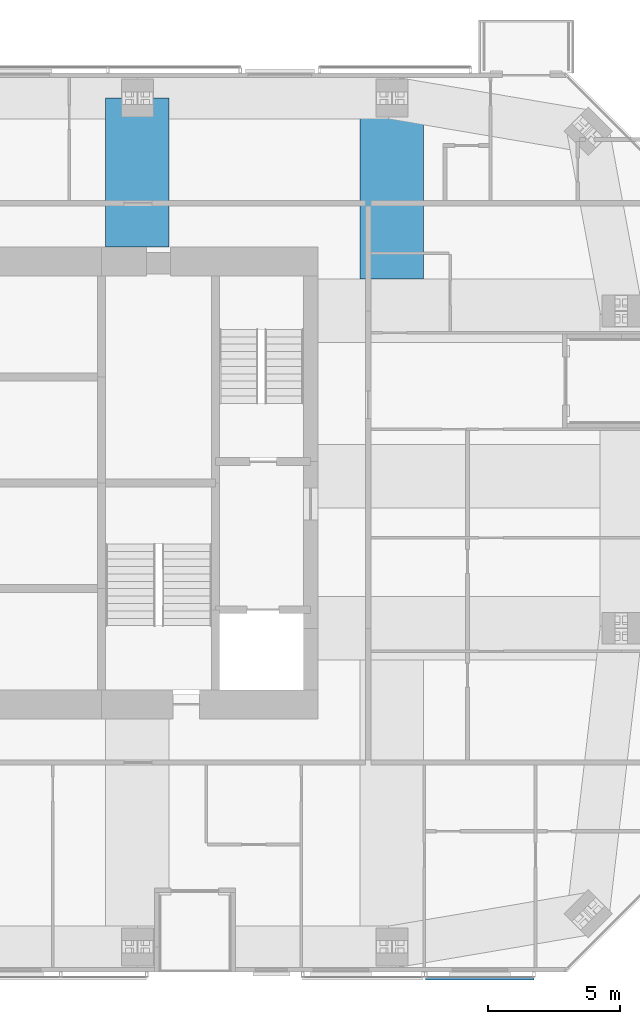
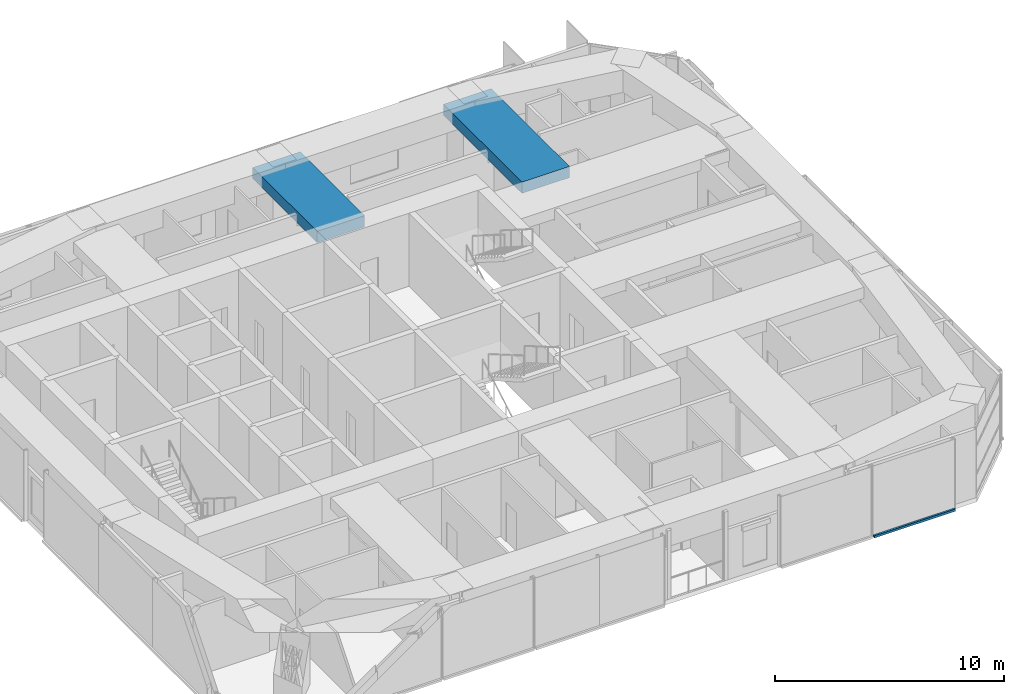
# One storey, part 7 of 20: 2 beams, 1 member, 1 element without a shape of its own.
"""IFC4 building model written with IfcOpenShell, lengths in metres."""

import ifcopenshell
import ifcopenshell.guid

model = None  # the IFC model being written
_history = None  # IfcOwnerHistory: only IFC2X3 demands one
_inside = {}  # id of a spatial element -> (the spatial element, [elements in it])
_under = {}  # id of a project, library or spatial element -> (it, [spatial elements below it])
_declared = {}  # id of a project -> (the project, [libraries it declares])
_typed = {}  # id of a type object -> (the type object, [elements of that type])
_made_of = {}  # id of a material, layer set ... -> (it, [elements and type objects made of it])


def new_model(schema):
    """Start an empty IFC model of exactly this schema.

    Asked for "IFC4X3", IfcOpenShell would pick the latest addendum, in which some entities
    have other attributes; the version numbers below select the first issue.
    IFC2X3 requires an IfcOwnerHistory on every rooted entity: one is made here for all.
    """
    global model, _history
    if schema == "IFC4X3":
        model = ifcopenshell.file(schema_version=(4, 3, 0, 0))
    else:
        model = ifcopenshell.file(schema=schema)
    _inside.clear()
    _under.clear()
    _declared.clear()
    _typed.clear()
    _made_of.clear()
    _history = None
    if model.schema == "IFC2X3":
        org = make("IfcOrganization", Name="unknown")
        user = make(
            "IfcPersonAndOrganization",
            ThePerson=make("IfcPerson", FamilyName="unknown"),
            TheOrganization=org,
        )
        app = make(
            "IfcApplication",
            ApplicationDeveloper=org,
            Version="unknown",
            ApplicationFullName="unknown",
            ApplicationIdentifier="unknown",
        )
        _history = make(
            "IfcOwnerHistory",
            OwningUser=user,
            OwningApplication=app,
            ChangeAction="ADDED",
            CreationDate=0,
        )
    return model


def make(cls, **values):
    """One entity of the class cls with the attributes given. An attribute that is None is left unset."""
    return model.create_entity(
        cls, **{name: value for name, value in values.items() if value is not None}
    )


def rooted(cls, **values):
    """An entity with a GlobalId (a new one), such as an element, a storey or a relation."""
    return make(cls, GlobalId=ifcopenshell.guid.new(), OwnerHistory=_history, **values)


def si_unit(unit_type, name, prefix=None):
    """IfcSIUnit, for example si_unit("LENGTHUNIT", "METRE", prefix="MILLI")."""
    return make("IfcSIUnit", UnitType=unit_type, Prefix=prefix, Name=name)


def assignment(units):
    """IfcUnitAssignment: the units of a project."""
    return None if units is None else make("IfcUnitAssignment", Units=units)


def point(xyz):
    """IfcCartesianPoint."""
    return None if xyz is None else make("IfcCartesianPoint", Coordinates=xyz)


def direction(xyz):
    """IfcDirection."""
    return None if xyz is None else make("IfcDirection", DirectionRatios=xyz)


def frame(location, z_axis=None, x_axis=None):
    """IfcAxis2Placement3D, a coordinate frame: its origin and axes. An axis left out is left unset."""
    return make(
        "IfcAxis2Placement3D",
        Location=point(location),
        Axis=direction(z_axis),
        RefDirection=direction(x_axis),
    )


def frame_2d(location, x_axis=None):
    """IfcAxis2Placement2D, a coordinate frame in the plane: its origin and x axis."""
    return make(
        "IfcAxis2Placement2D", Location=point(location), RefDirection=direction(x_axis)
    )


def origin():
    """The frame at (0, 0, 0) with its axes left unset."""
    return frame((0.0, 0.0, 0.0))


def origin_2d():
    """The frame at (0, 0) in the plane with its x axis left unset."""
    return frame_2d((0.0, 0.0))


def place(relative_to, where):
    """IfcLocalPlacement: puts the frame where relative to a parent placement (None: the world)."""
    return make(
        "IfcLocalPlacement", PlacementRelTo=relative_to, RelativePlacement=where
    )


def context(
    kind, dimensions, precision=None, world=None, true_north=None, identifier=None
):
    """IfcGeometricRepresentationContext, for example the 3D "Model" context."""
    return make(
        "IfcGeometricRepresentationContext",
        ContextIdentifier=identifier,
        ContextType=kind,
        CoordinateSpaceDimension=dimensions,
        Precision=precision,
        WorldCoordinateSystem=world,
        TrueNorth=true_north,
    )


def subcontext(parent, identifier, kind, view, scale=None):
    """IfcGeometricRepresentationSubContext, for example "Body" below "Model"."""
    return make(
        "IfcGeometricRepresentationSubContext",
        ContextIdentifier=identifier,
        ContextType=kind,
        ParentContext=parent,
        TargetScale=scale,
        TargetView=view,
    )


def project(units=None, contexts=None):
    """IfcProject with its units and contexts."""
    return rooted(
        "IfcProject",
        Name="project",
        RepresentationContexts=contexts,
        UnitsInContext=assignment(units),
    )


def spatial(cls, under=None, at=None, **own):
    """A site, building, storey or space (cls), placed at a placement, below another one or the project."""
    s = rooted(cls, ObjectPlacement=at, **own)
    if under is not None:
        _under.setdefault(under.id(), (under, []))[1].append(s)
    return s


def profile(cls, at=None, kind="AREA", **sizes):
    """A parametric profile (cls). Its sizes go by their IFC names, for example OverallWidth=200.0."""
    return make(cls, ProfileType=kind, Position=at, **sizes)


def rectangle(**sizes):
    """IfcRectangleProfileDef."""
    return profile("IfcRectangleProfileDef", **sizes)


def extrude(swept, where, along, depth):
    """IfcExtrudedAreaSolid: the profile swept, set in the frame where, extruded along a direction by depth."""
    return make(
        "IfcExtrudedAreaSolid",
        SweptArea=swept,
        Position=where,
        ExtrudedDirection=direction(along),
        Depth=depth,
    )


def shape(context_of_items, identifier, shape_type, items):
    """IfcShapeRepresentation: the items that make up one representation, for example the "Body"."""
    return make(
        "IfcShapeRepresentation",
        ContextOfItems=context_of_items,
        RepresentationIdentifier=identifier,
        RepresentationType=shape_type,
        Items=items,
    )


def material(Name=None, Category=None):
    """IfcMaterial."""
    return make("IfcMaterial", Name=Name, Category=Category)


def material_profile(
    of_material, cross_section, Name=None, Category=None, Priority=None
):
    """IfcMaterialProfile: a cross section and its material."""
    return make(
        "IfcMaterialProfile",
        Name=Name,
        Material=of_material,
        Profile=cross_section,
        Priority=Priority,
        Category=Category,
    )


def profile_set(profiles, Name=None, composite=None):
    """IfcMaterialProfileSet."""
    return make(
        "IfcMaterialProfileSet",
        Name=Name,
        MaterialProfiles=profiles,
        CompositeProfile=composite,
    )


def made_of(thing, what):
    """Note that an element or type object is made of a material, layer set ...; save() writes the relation."""
    if what is not None:
        _made_of.setdefault(what.id(), (what, []))[1].append(thing)
    return thing


def type_object(cls, material=None, **own):
    """A type object (cls), such as IfcWallType, which elements share."""
    return made_of(rooted(cls, **own), material)


def element(
    cls,
    number,
    at=None,
    inside=None,
    cuts=None,
    type_object=None,
    material=None,
    context=None,
    identifier="Body",
    shape_type=None,
    held_by="IfcProductDefinitionShape",
    body=None,
    shapes=None,
    **own,
):
    """One element of the class cls, such as IfcWall. Its Tag is "e" and its number.

    at: its placement. inside: the storey or other place that contains it. cuts: it is an
    opening in that element (IfcRelVoidsElement). A single representation is given by context,
    identifier, shape_type and body (its items); several are given by shapes. held_by: the class
    of the entity that holds the representations. save() writes the other relations.
    """
    e = rooted(cls, Tag="e%d" % number, ObjectPlacement=at, **own)
    if body is not None:
        shapes = [shape(context, identifier, shape_type, body)]
    if shapes is not None:
        e.Representation = make(held_by, Representations=shapes)
    if inside is not None:
        _inside.setdefault(inside.id(), (inside, []))[1].append(e)
    if cuts is not None:
        rooted(
            "IfcRelVoidsElement", RelatingBuildingElement=cuts, RelatedOpeningElement=e
        )
    if type_object is not None:
        _typed.setdefault(type_object.id(), (type_object, []))[1].append(e)
    return made_of(e, material)


def aggregate(whole, parts):
    """IfcRelAggregates: a whole, such as a stair, and the parts it consists of."""
    return rooted("IfcRelAggregates", RelatingObject=whole, RelatedObjects=parts)


def save(model, path):
    """Write the relations noted so far, then the file.

    IfcRelAggregates (storeys below a building ...), IfcRelContainedInSpatialStructure (elements
    in a storey), IfcRelDefinesByType, IfcRelAssociatesMaterial and IfcRelDeclares: one each for
    every whole, place, type object, material and project.
    """
    for whole, parts in _under.values():
        aggregate(whole, parts)
    for where, things in _inside.values():
        rooted(
            "IfcRelContainedInSpatialStructure",
            RelatedElements=things,
            RelatingStructure=where,
        )
    for kind, things in _typed.values():
        rooted("IfcRelDefinesByType", RelatedObjects=things, RelatingType=kind)
    for what, things in _made_of.values():
        rooted("IfcRelAssociatesMaterial", RelatedObjects=things, RelatingMaterial=what)
    for by, libraries in _declared.values():
        rooted("IfcRelDeclares", RelatingContext=by, RelatedDefinitions=libraries)
    model.write(path)


model = new_model("IFC4")

# Units and contexts
model_context = context("Model", 3, precision=1e-05, world=origin(), true_north=direction((0.0, 1.0)))
body_context = subcontext(model_context, "Body", "Model", "MODEL_VIEW")
ifc_project = project(units=[si_unit("LENGTHUNIT", "METRE"), si_unit("AREAUNIT", "SQUARE_METRE"), si_unit("VOLUMEUNIT", "CUBIC_METRE"), si_unit("PLANEANGLEUNIT", "RADIAN"), si_unit("MASSUNIT", "GRAM", prefix="KILO")], contexts=[model_context])

# Site, building, storey
site_placement = place(None, origin())
site = spatial("IfcSite", under=ifc_project, at=site_placement, CompositionType="ELEMENT")
building_placement = place(site_placement, origin())
building = spatial("IfcBuilding", under=site, at=building_placement, Name="Jalousie Tower", CompositionType="ELEMENT")
storey_placement = place(building_placement, frame((0.0, 0.0, 259.949951171875)))
storey = spatial("IfcBuildingStorey", under=building, at=storey_placement, Name="L71", CompositionType="ELEMENT", Elevation=259.949951171875)

# Beams
ifc_material_1 = material(Name="Concrete f'c 40 MPa", Category="concrete")
ifc_material_profile_1 = material_profile(ifc_material_1, rectangle(XDim=2.39990234375, YDim=0.60009765625, at=origin_2d()), Name="RC 2400x600")
ifc_profile_set_1 = profile_set([ifc_material_profile_1], Name="Concrete f'c 40 MPa")
beam_type = type_object("IfcBeamType", Name="RC BEAM 2400x600", PredefinedType="BEAM", material=ifc_profile_set_1)
beam_1_placement = place(storey_placement, frame((37.25, 33.050048828125, 3.360107421875), z_axis=(0.0, -1.0, 0.0), x_axis=(1.0, 0.0, 0.0)))
element("IfcBeam", 1, at=beam_1_placement, inside=storey, type_object=beam_type, Name="Floor band beam under L72", PredefinedType="BEAM", context=body_context, shape_type="SweptSolid", body=[
    extrude(rectangle(XDim=2.39990234375, YDim=0.60009765625, at=origin_2d()), origin(), (0.0, 0.0, 1.0), 5.625),
])
beam_2_placement = place(storey_placement, frame((46.875, 33.050048828125, 3.360107421875), z_axis=(0.0, -1.0, 0.0), x_axis=(1.0, 0.0, 0.0)))
element("IfcBeam", 2, at=beam_2_placement, inside=storey, type_object=beam_type, Name="Floor band beam under L72", PredefinedType="BEAM", context=body_context, shape_type="SweptSolid", body=[
    extrude(rectangle(XDim=2.39990234375, YDim=0.60009765625, at=origin_2d()), origin(), (0.0, 0.0, 1.0), 6.85009765625),
])

# Curtain wall, member
ifc_material_2 = material(Name="Perforated aluminium sheet", Category="aluminium")
curtain_wall_type = type_object("IfcCurtainWallType", Name="SOLAR SCREEN SS-2", PredefinedType="USERDEFINED", material=ifc_material_2)
curtain_wall_placement = place(storey_placement, origin())
curtain_wall = element("IfcCurtainWall", 3, at=curtain_wall_placement, inside=storey, type_object=curtain_wall_type, Name="Solar screen L71", ObjectType="SOLAR SCREEN SS-2", PredefinedType="USERDEFINED")
ifc_material_3 = material(Name="Extruded aluminium screen rail", Category="aluminium")
ifc_material_profile_2 = material_profile(ifc_material_3, rectangle(XDim=0.1015625, YDim=0.1201171875, at=origin_2d()), Name="RAIL 102x120")
ifc_profile_set_2 = profile_set([ifc_material_profile_2], Name="Extruded aluminium screen rail")
member_type = type_object("IfcMemberType", Name="SOLAR SCREEN SS-2 TRANSOM", PredefinedType="USERDEFINED", material=ifc_profile_set_2)
member_placement = place(storey_placement, frame((48.14990234375, -0.2490234375, -0.06005859375), z_axis=(1.0, 0.0, 0.0), x_axis=(0.0, 1.0, 0.0)))
member = element("IfcMember", 4, at=member_placement, type_object=member_type, Name="SS2 rail", ObjectType="TRANSOM", PredefinedType="USERDEFINED", context=body_context, shape_type="SweptSolid", body=[
    extrude(rectangle(XDim=0.1015625, YDim=0.1201171875, at=origin_2d()), origin(), (0.0, 0.0, 1.0), 4.10009765625),
])
aggregate(curtain_wall, [member])

save(model, "model.ifc")
